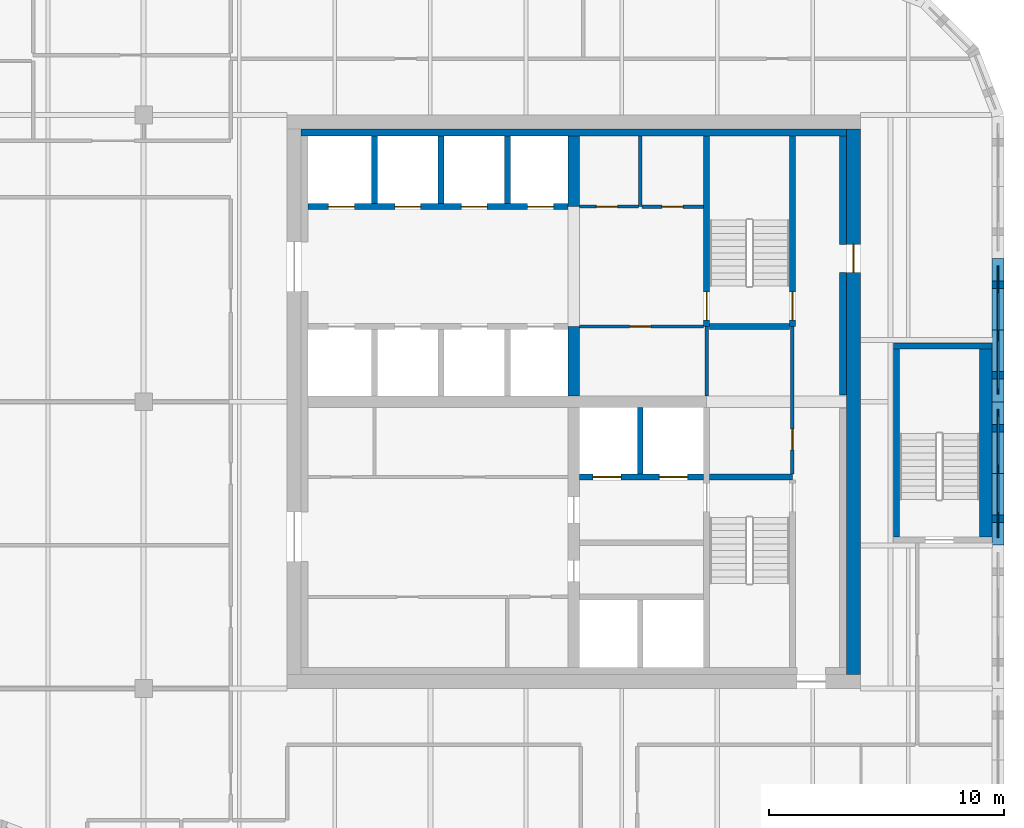
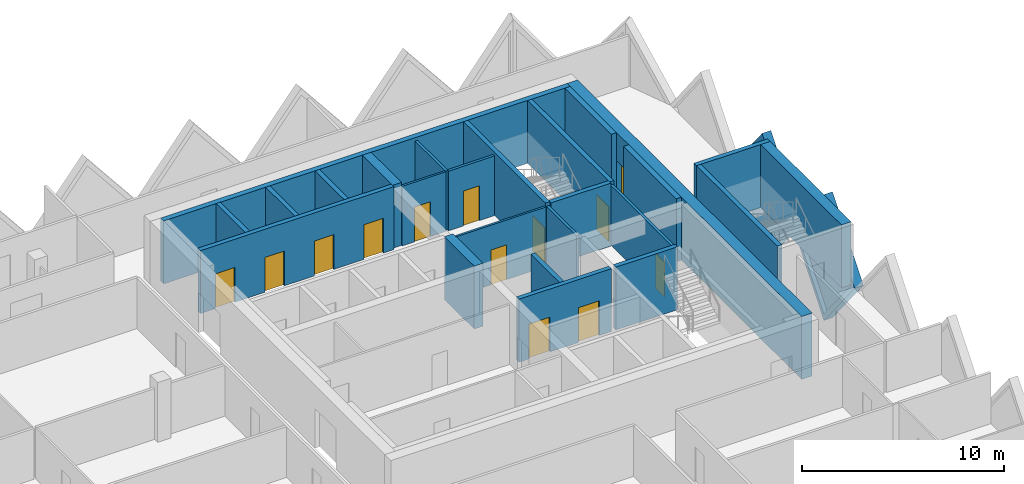
# One storey, part 9 of 12: 27 walls, 13 doors, 2 plates, 15 openings.
"""IFC4 building model written with IfcOpenShell, lengths in metres."""

from ifc_helpers import new_model, si_unit, direction, frame, frame_2d, origin, place, context, subcontext, project, spatial, polyline, rectangle, outline, extrude, faceted_brep, source, transform, mapped, material, layer, layer_set, type_object, element, fill, save


model = new_model("IFC4")

# Units and contexts
model_context = context("Model", 3, precision=1e-05, world=origin(), true_north=direction((0.0, 1.0)))
body_context = subcontext(model_context, "Body", "Model", "MODEL_VIEW")
ifc_project = project(units=[si_unit("LENGTHUNIT", "METRE"), si_unit("AREAUNIT", "SQUARE_METRE"), si_unit("VOLUMEUNIT", "CUBIC_METRE"), si_unit("PLANEANGLEUNIT", "RADIAN"), si_unit("MASSUNIT", "GRAM", prefix="KILO")], contexts=[model_context])

# Site, building, storey
site_placement = place(None, origin())
site = spatial("IfcSite", under=ifc_project, at=site_placement, CompositionType="ELEMENT")
building_placement = place(site_placement, origin())
building = spatial("IfcBuilding", under=site, at=building_placement, Name="Tessera Gate Towers", CompositionType="ELEMENT")
storey_placement = place(building_placement, frame((0.0, 0.0, 185.800048828125)))
storey = spatial("IfcBuildingStorey", under=building, at=storey_placement, Name="L46", CompositionType="ELEMENT", Elevation=185.800048828125)

# Wall, openings, doors
ifc_material_1 = material(Name="Concrete C40/50", Category="concrete")
ifc_layer_1 = layer(ifc_material_1, 0.25)
ifc_layer_set_1 = layer_set([ifc_layer_1], Name="CORE ENCLOSURE WALL 250")
wall_type_1 = type_object("IfcWallType", Name="CORE ENCLOSURE WALL 250", PredefinedType="SOLIDWALL", material=ifc_layer_set_1)
wall_1_placement = place(storey_placement, frame((42.449951171875, 44.89990234375, 0.0), z_axis=(0.0, 0.0, 1.0), x_axis=(-1.0, 0.0, 0.0)))
wall_1 = element("IfcWall", 1, at=wall_1_placement, inside=storey, type_object=wall_type_1, Name="L46 shaft and stair enclosure wall", PredefinedType="SOLIDWALL", context=body_context, shape_type="SweptSolid", body=[
    extrude(rectangle(XDim=11.050048828125, YDim=0.25, at=frame_2d((5.52490234375, 0.0))), origin(), (0.0, 0.0, 1.0), 3.800048828125),
])
shared_shape_1 = source(origin(), body_context, "Body", "SweptSolid", [
    extrude(rectangle(XDim=1.10009765625, YDim=2.10009765625, at=frame_2d((0.550048828125, 1.050048828125))), frame((0.0, 0.135009765625, 0.0), z_axis=(0.0, -1.0, 0.0), x_axis=(1.0, 0.0, 0.0)), (0.0, 0.0, 1.0), 0.27001953125),
])
opening_1_placement = place(wall_1_placement, frame((9.08740234375, 0.0, 0.0)))
opening_1 = element("IfcOpeningElement", 2, at=opening_1_placement, cuts=wall_1, Name="Opening LD-HR5", PredefinedType="OPENING", context=body_context, shape_type="MappedRepresentation", body=[
    mapped(shared_shape_1, transform((0.0, 0.0, 0.0), scale=1.0)),
])
opening_2_placement = place(wall_1_placement, frame((6.262451171875, 0.0, 0.0)))
opening_2 = element("IfcOpeningElement", 3, at=opening_2_placement, cuts=wall_1, Name="Opening LD-HR6", PredefinedType="OPENING", context=body_context, shape_type="MappedRepresentation", body=[
    mapped(shared_shape_1, transform((0.0, 0.0, 0.0), scale=1.0)),
])
opening_3_placement = place(wall_1_placement, frame((3.4375, 0.0, 0.0)))
opening_3 = element("IfcOpeningElement", 4, at=opening_3_placement, cuts=wall_1, Name="Opening LD-HR7", PredefinedType="OPENING", context=body_context, shape_type="MappedRepresentation", body=[
    mapped(shared_shape_1, transform((0.0, 0.0, 0.0), scale=1.0)),
])
opening_4_placement = place(wall_1_placement, frame((0.612548828125, 0.0, 0.0)))
opening_4 = element("IfcOpeningElement", 5, at=opening_4_placement, cuts=wall_1, Name="Opening LD-HR8", PredefinedType="OPENING", context=body_context, shape_type="MappedRepresentation", body=[
    mapped(shared_shape_1, transform((0.0, 0.0, 0.0), scale=1.0)),
])
ifc_material_2 = material(Name="Stainless steel", Category="steel")
door_type_1 = type_object("IfcDoorType", Name="CORE DOOR LD 1100x2100", OperationType="DOUBLE_DOOR_SLIDING", PredefinedType="DOOR", material=ifc_material_2)
shared_shape_2 = source(origin(), body_context, "Body", "SweptSolid", [
    extrude(rectangle(XDim=1.10009765625, YDim=2.10009765625, at=frame_2d((0.550048828125, 1.050048828125))), frame((0.0, 0.02490234375, 0.0), z_axis=(0.0, -1.0, 0.0), x_axis=(1.0, 0.0, 0.0)), (0.0, 0.0, 1.0), 0.050048828125),
])
door_1_placement = place(opening_1_placement, origin())
door_1 = element("IfcDoor", 6, at=door_1_placement, inside=storey, type_object=door_type_1, Name="Landing door HR5 L46", OperationType="DOUBLE_DOOR_SLIDING", OverallHeight=2.10009765625, OverallWidth=1.10009765625, PredefinedType="DOOR", context=body_context, shape_type="MappedRepresentation", body=[
    mapped(shared_shape_2, transform((0.0, 0.0, 0.0), scale=1.0)),
])
fill(opening_1, door_1)
door_2_placement = place(opening_2_placement, origin())
door_2 = element("IfcDoor", 7, at=door_2_placement, inside=storey, type_object=door_type_1, Name="Landing door HR6 L46", OperationType="DOUBLE_DOOR_SLIDING", OverallHeight=2.10009765625, OverallWidth=1.10009765625, PredefinedType="DOOR", context=body_context, shape_type="MappedRepresentation", body=[
    mapped(shared_shape_2, transform((0.0, 0.0, 0.0), scale=1.0)),
])
fill(opening_2, door_2)
door_3_placement = place(opening_3_placement, origin())
door_3 = element("IfcDoor", 8, at=door_3_placement, inside=storey, type_object=door_type_1, Name="Landing door HR7 L46", OperationType="DOUBLE_DOOR_SLIDING", OverallHeight=2.10009765625, OverallWidth=1.10009765625, PredefinedType="DOOR", context=body_context, shape_type="MappedRepresentation", body=[
    mapped(shared_shape_2, transform((0.0, 0.0, 0.0), scale=1.0)),
])
fill(opening_3, door_3)
door_4_placement = place(opening_4_placement, origin())
door_4 = element("IfcDoor", 9, at=door_4_placement, inside=storey, type_object=door_type_1, Name="Landing door HR8 L46", OperationType="DOUBLE_DOOR_SLIDING", OverallHeight=2.10009765625, OverallWidth=1.10009765625, PredefinedType="DOOR", context=body_context, shape_type="MappedRepresentation", body=[
    mapped(shared_shape_2, transform((0.0, 0.0, 0.0), scale=1.0)),
])
fill(opening_4, door_4)

wall_2_placement = place(storey_placement, frame((48.22509765625, 33.39990234375, 0.0), z_axis=(0.0, 0.0, 1.0), x_axis=(-1.0, 0.0, 0.0)))
wall_2 = element("IfcWall", 10, at=wall_2_placement, inside=storey, type_object=wall_type_1, Name="L46 shaft and stair enclosure wall", PredefinedType="SOLIDWALL", context=body_context, shape_type="SweptSolid", body=[
    extrude(rectangle(XDim=5.275146484375, YDim=0.25, at=frame_2d((2.6376953125, 0.0))), origin(), (0.0, 0.0, 1.0), 3.800048828125),
])
shared_shape_3 = source(origin(), body_context, "Body", "SweptSolid", [
    extrude(rectangle(XDim=1.199951171875, YDim=2.10009765625, at=frame_2d((0.60009765625, 1.050048828125))), frame((0.0, 0.135009765625, 0.0), z_axis=(0.0, -1.0, 0.0), x_axis=(1.0, 0.0, 0.0)), (0.0, 0.0, 1.0), 0.27001953125),
])
opening_5_placement = place(wall_2_placement, frame((3.512451171875, 0.0, 0.0)))
opening_5 = element("IfcOpeningElement", 11, at=opening_5_placement, cuts=wall_2, Name="Opening LD-FF1", PredefinedType="OPENING", context=body_context, shape_type="MappedRepresentation", body=[
    mapped(shared_shape_3, transform((0.0, 0.0, 0.0), scale=1.0)),
])
opening_6_placement = place(wall_2_placement, frame((0.6875, 0.0, 0.0)))
opening_6 = element("IfcOpeningElement", 12, at=opening_6_placement, cuts=wall_2, Name="Opening LD-FF2", PredefinedType="OPENING", context=body_context, shape_type="MappedRepresentation", body=[
    mapped(shared_shape_3, transform((0.0, 0.0, 0.0), scale=1.0)),
])
ifc_material_3 = material(Name="Stainless steel", Category="steel")
door_type_2 = type_object("IfcDoorType", Name="CORE DOOR LD1200 1200x2100", OperationType="DOUBLE_DOOR_SLIDING", PredefinedType="DOOR", material=ifc_material_3)
shared_shape_4 = source(origin(), body_context, "Body", "SweptSolid", [
    extrude(rectangle(XDim=1.199951171875, YDim=2.10009765625, at=frame_2d((0.60009765625, 1.050048828125))), frame((0.0, 0.02490234375, 0.0), z_axis=(0.0, -1.0, 0.0), x_axis=(1.0, 0.0, 0.0)), (0.0, 0.0, 1.0), 0.050048828125),
])
door_5_placement = place(opening_5_placement, origin())
door_5 = element("IfcDoor", 13, at=door_5_placement, inside=storey, type_object=door_type_2, Name="Landing door FF1 L46", OperationType="DOUBLE_DOOR_SLIDING", OverallHeight=2.10009765625, OverallWidth=1.199951171875, PredefinedType="DOOR", context=body_context, shape_type="MappedRepresentation", body=[
    mapped(shared_shape_4, transform((0.0, 0.0, 0.0), scale=1.0)),
])
fill(opening_5, door_5)
door_6_placement = place(opening_6_placement, origin())
door_6 = element("IfcDoor", 14, at=door_6_placement, inside=storey, type_object=door_type_2, Name="Landing door FF2 L46", OperationType="DOUBLE_DOOR_SLIDING", OverallHeight=2.10009765625, OverallWidth=1.199951171875, PredefinedType="DOOR", context=body_context, shape_type="MappedRepresentation", body=[
    mapped(shared_shape_4, transform((0.0, 0.0, 0.0), scale=1.0)),
])
fill(opening_6, door_6)

# Wall
wall_3_placement = place(storey_placement, frame((48.47509765625, 33.39990234375, 0.0), z_axis=(0.0, 0.0, 1.0), x_axis=(1.0, 0.0, 0.0)))
element("IfcWall", 15, at=wall_3_placement, inside=storey, type_object=wall_type_1, Name="L46 shaft and stair enclosure wall", PredefinedType="SOLIDWALL", context=body_context, shape_type="SweptSolid", body=[
    extrude(rectangle(XDim=3.52490234375, YDim=0.25, at=frame_2d((1.762451171875, 0.0))), origin(), (0.0, 0.0, 1.0), 3.800048828125),
])

# Wall, opening, door
wall_4_placement = place(storey_placement, frame((48.35009765625, 47.89990234375, 0.0), z_axis=(0.0, 0.0, 1.0), x_axis=(0.0, -1.0, 0.0)))
wall_4 = element("IfcWall", 16, at=wall_4_placement, inside=storey, type_object=wall_type_1, Name="L46 shaft and stair enclosure wall", PredefinedType="SOLIDWALL", context=body_context, shape_type="SweptSolid", body=[
    extrude(rectangle(XDim=8.099853515625, YDim=0.25, at=frame_2d((4.0498046875, 0.0))), origin(), (0.0, 0.0, 1.0), 3.800048828125),
])
opening_7_placement = place(wall_4_placement, frame((6.625, 0.0, 0.0)))
opening_7 = element("IfcOpeningElement", 17, at=opening_7_placement, cuts=wall_4, Name="Opening SD-ST2-1", PredefinedType="OPENING", context=body_context, shape_type="MappedRepresentation", body=[
    mapped(shared_shape_3, transform((0.0, 0.0, 0.0), scale=1.0)),
])
ifc_material_4 = material(Name="Hollow steel fire door", Category="steel")
door_type_3 = type_object("IfcDoorType", Name="CORE DOOR SD 1200x2100", OperationType="NOTDEFINED", PredefinedType="DOOR", material=ifc_material_4)
door_7_placement = place(opening_7_placement, origin())
door_7 = element("IfcDoor", 18, at=door_7_placement, inside=storey, type_object=door_type_3, Name="Stair door", OperationType="SINGLE_SWING_RIGHT", OverallHeight=2.10009765625, OverallWidth=1.199951171875, PredefinedType="DOOR", context=body_context, shape_type="MappedRepresentation", body=[
    mapped(shared_shape_4, transform((0.0, 0.0, 0.0), scale=1.0)),
])
fill(opening_7, door_7)

wall_5_placement = place(storey_placement, frame((52.0, 39.800048828125, 0.0), z_axis=(0.0, 0.0, 1.0), x_axis=(0.0, 1.0, 0.0)))
wall_5 = element("IfcWall", 19, at=wall_5_placement, inside=storey, type_object=wall_type_1, Name="L46 shaft and stair enclosure wall", PredefinedType="SOLIDWALL", context=body_context, shape_type="SweptSolid", body=[
    extrude(rectangle(XDim=8.099853515625, YDim=0.25, at=frame_2d((4.0498046875, 0.0))), origin(), (0.0, 0.0, 1.0), 3.800048828125),
])
opening_8_placement = place(wall_5_placement, frame((0.27490234375, 0.0, 0.0)))
opening_8 = element("IfcOpeningElement", 20, at=opening_8_placement, cuts=wall_5, Name="Opening SD-ST2-2", PredefinedType="OPENING", context=body_context, shape_type="MappedRepresentation", body=[
    mapped(shared_shape_3, transform((0.0, 0.0, 0.0), scale=1.0)),
])
door_8_placement = place(opening_8_placement, origin())
door_8 = element("IfcDoor", 21, at=door_8_placement, inside=storey, type_object=door_type_3, Name="Stair door", OperationType="SINGLE_SWING_LEFT", OverallHeight=2.10009765625, OverallWidth=1.199951171875, PredefinedType="DOOR", context=body_context, shape_type="MappedRepresentation", body=[
    mapped(shared_shape_4, transform((0.0, 0.0, 0.0), scale=1.0)),
])
fill(opening_8, door_8)

# Walls
wall_6_placement = place(storey_placement, frame((48.47509765625, 39.800048828125, 0.0), z_axis=(0.0, 0.0, 1.0), x_axis=(1.0, 0.0, 0.0)))
element("IfcWall", 22, at=wall_6_placement, inside=storey, type_object=wall_type_1, Name="L46 shaft and stair enclosure wall", PredefinedType="SOLIDWALL", context=body_context, shape_type="SweptSolid", body=[
    extrude(rectangle(XDim=3.39990234375, YDim=0.25, at=frame_2d((1.699951171875, 0.0))), origin(), (0.0, 0.0, 1.0), 3.800048828125),
])
wall_7_placement = place(storey_placement, frame((45.52490234375, 33.52490234375, 0.0), z_axis=(0.0, 0.0, 1.0), x_axis=(0.0, 1.0, 0.0)))
element("IfcWall", 23, at=wall_7_placement, inside=storey, type_object=wall_type_1, Name="L46 shaft and stair enclosure wall", PredefinedType="SOLIDWALL", context=body_context, shape_type="SweptSolid", body=[
    extrude(rectangle(XDim=2.8251953125, YDim=0.25, at=frame_2d((1.41259765625, 0.0))), origin(), (0.0, 0.0, 1.0), 3.800048828125),
])
for number, where, z_axis, x_axis, name in (
    (24, (34.22509765625, 45.02490234375, 0.0), (0.0, 0.0, 1.0), (0.0, 1.0, 0.0), "L46 shaft and stair enclosure wall"),
    (25, (37.050048828125, 45.02490234375, 0.0), (0.0, 0.0, 1.0), (0.0, 1.0, 0.0), "L46 shaft and stair enclosure wall"),
    (26, (39.875, 45.02490234375, 0.0), (0.0, 0.0, 1.0), (0.0, 1.0, 0.0), "L46 shaft and stair enclosure wall"),
):
    element("IfcWall", number, at=place(storey_placement, frame(where, z_axis=z_axis, x_axis=x_axis)), inside=storey, type_object=wall_type_1, Name=name, PredefinedType="SOLIDWALL", context=body_context, shape_type="SweptSolid", body=[
        extrude(rectangle(XDim=2.875, YDim=0.25, at=frame_2d((1.4375, 0.0))), origin(), (0.0, 0.0, 1.0), 3.800048828125),
    ])
wall_8_placement = place(storey_placement, frame((56.425048828125, 30.85009765625, 0.0), z_axis=(0.0, 0.0, 1.0), x_axis=(0.0, 1.0, 0.0)))
element("IfcWall", 27, at=wall_8_placement, inside=storey, type_object=wall_type_1, Name="L46 ST5 enclosure wall", PredefinedType="SOLIDWALL", context=body_context, shape_type="SweptSolid", body=[
    extrude(rectangle(XDim=8.0, YDim=0.25, at=frame_2d((4.0, 0.0))), origin(), (0.0, 0.0, 1.0), 3.800048828125),
])
wall_9_placement = place(storey_placement, frame((56.300048828125, 38.97509765625, 0.0), z_axis=(0.0, 0.0, 1.0), x_axis=(1.0, 0.0, 0.0)))
element("IfcWall", 28, at=wall_9_placement, inside=storey, type_object=wall_type_1, Name="L46 ST5 enclosure wall", PredefinedType="SOLIDWALL", context=body_context, shape_type="SweptSolid", body=[
    extrude(rectangle(XDim=4.199951171875, YDim=0.25, at=frame_2d((2.10009765625, 0.0))), origin(), (0.0, 0.0, 1.0), 3.800048828125),
])
ifc_material_5 = material(Name="Concrete C40/50", Category="concrete")
ifc_layer_2 = layer(ifc_material_5, 0.550048828125)
ifc_layer_set_2 = layer_set([ifc_layer_2], Name="CORE ENCLOSURE WALL 550")
wall_type_2 = type_object("IfcWallType", Name="CORE ENCLOSURE WALL 550", PredefinedType="SOLIDWALL", material=ifc_layer_set_2)
wall_10_placement = place(storey_placement, frame((60.22509765625, 38.85009765625, 0.0), z_axis=(0.0, 0.0, 1.0), x_axis=(0.0, -1.0, 0.0)))
element("IfcWall", 29, at=wall_10_placement, inside=storey, type_object=wall_type_2, Name="L46 ST5 enclosure wall", PredefinedType="SOLIDWALL", context=body_context, shape_type="SweptSolid", body=[
    extrude(rectangle(XDim=8.0, YDim=0.550048828125, at=frame_2d((4.0, 0.0))), origin(), (0.0, 0.0, 1.0), 3.800048828125),
])

# Wall, opening, door
ifc_material_6 = material(Name="Gypsum board on steel studs", Category="steel")
ifc_layer_3 = layer(ifc_material_6, 0.1201171875)
ifc_layer_set_3 = layer_set([ifc_layer_3], Name="CORE PARTITION 120")
wall_type_3 = type_object("IfcWallType", Name="CORE PARTITION 120", PredefinedType="PARTITIONING", material=ifc_layer_set_3)
wall_11_placement = place(storey_placement, frame((48.22509765625, 39.800048828125, 0.0), z_axis=(0.0, 0.0, 1.0), x_axis=(-1.0, 0.0, 0.0)))
wall_11 = element("IfcWall", 30, at=wall_11_placement, inside=storey, type_object=wall_type_3, Name="L46 core partition", PredefinedType="PARTITIONING", context=body_context, shape_type="SweptSolid", body=[
    extrude(rectangle(XDim=5.275146484375, YDim=0.1201171875, at=frame_2d((2.6376953125, 0.0))), origin(), (0.0, 0.0, 1.0), 3.599853515625),
])
shared_shape_5 = source(origin(), body_context, "Body", "SweptSolid", [
    extrude(rectangle(XDim=0.89990234375, YDim=2.10009765625, at=frame_2d((0.449951171875, 1.050048828125))), frame((0.0, 0.070068359375, 0.0), z_axis=(0.0, -1.0, 0.0), x_axis=(1.0, 0.0, 0.0)), (0.0, 0.0, 1.0), 0.14013671875),
])
opening_9_placement = place(wall_11_placement, frame((2.25, 0.0, 0.0)))
opening_9 = element("IfcOpeningElement", 31, at=opening_9_placement, cuts=wall_11, Name="Opening RD-T1-28-11", PredefinedType="OPENING", context=body_context, shape_type="MappedRepresentation", body=[
    mapped(shared_shape_5, transform((0.0, 0.0, 0.0), scale=1.0)),
])
ifc_material_7 = material(Name="Hollow steel fire door", Category="steel")
door_type_4 = type_object("IfcDoorType", Name="CORE DOOR RD 900x2100", OperationType="NOTDEFINED", PredefinedType="DOOR", material=ifc_material_7)
shared_shape_6 = source(origin(), body_context, "Body", "SweptSolid", [
    extrude(rectangle(XDim=0.89990234375, YDim=2.10009765625, at=frame_2d((0.449951171875, 1.050048828125))), frame((0.0, 0.02490234375, 0.0), z_axis=(0.0, -1.0, 0.0), x_axis=(1.0, 0.0, 0.0)), (0.0, 0.0, 1.0), 0.050048828125),
])
door_9_placement = place(opening_9_placement, origin())
door_9 = element("IfcDoor", 32, at=door_9_placement, inside=storey, type_object=door_type_4, Name="Core room door", OperationType="SINGLE_SWING_RIGHT", OverallHeight=2.10009765625, OverallWidth=0.89990234375, PredefinedType="DOOR", context=body_context, shape_type="MappedRepresentation", body=[
    mapped(shared_shape_6, transform((0.0, 0.0, 0.0), scale=1.0)),
])
fill(opening_9, door_9)

wall_12_placement = place(storey_placement, frame((42.949951171875, 44.89990234375, 0.0), z_axis=(0.0, 0.0, 1.0), x_axis=(1.0, 0.0, 0.0)))
wall_12 = element("IfcWall", 33, at=wall_12_placement, inside=storey, type_object=wall_type_3, Name="L46 core partition", PredefinedType="PARTITIONING", context=body_context, shape_type="SweptSolid", body=[
    extrude(rectangle(XDim=2.5, YDim=0.1201171875, at=frame_2d((1.25, 0.0))), origin(), (0.0, 0.0, 1.0), 3.599853515625),
])
opening_10_placement = place(wall_12_placement, frame((0.71240234375, 0.0, 0.0)))
opening_10 = element("IfcOpeningElement", 34, at=opening_10_placement, cuts=wall_12, Name="Opening RD-T1-28-12", PredefinedType="OPENING", context=body_context, shape_type="MappedRepresentation", body=[
    mapped(shared_shape_5, transform((0.0, 0.0, 0.0), scale=1.0)),
])
door_10_placement = place(opening_10_placement, origin())
door_10 = element("IfcDoor", 35, at=door_10_placement, inside=storey, type_object=door_type_4, Name="Core room door", OperationType="SINGLE_SWING_LEFT", OverallHeight=2.10009765625, OverallWidth=0.89990234375, PredefinedType="DOOR", context=body_context, shape_type="MappedRepresentation", body=[
    mapped(shared_shape_6, transform((0.0, 0.0, 0.0), scale=1.0)),
])
fill(opening_10, door_10)

ifc_material_8 = material(Name="Concrete C50/60", Category="concrete")
ifc_layer_4 = layer(ifc_material_8, 0.60009765625)
ifc_layer_set_4 = layer_set([ifc_layer_4], Name="CORE SHEAR WALL 600 C50/60")
wall_type_4 = type_object("IfcWallType", Name="CORE SHEAR WALL 600 C50/60", PredefinedType="SHEAR", material=ifc_layer_set_4)
wall_13_placement = place(storey_placement, frame((54.60009765625, 48.199951171875, 0.0), z_axis=(0.0, 0.0, 1.0), x_axis=(0.0, -1.0, 0.0)))
wall_13 = element("IfcWall", 36, at=wall_13_placement, inside=storey, type_object=wall_type_4, Name="Core wall E L46", PredefinedType="SHEAR", context=body_context, shape_type="SweptSolid", body=[
    extrude(rectangle(XDim=23.199951171875, YDim=0.60009765625, at=frame_2d((11.60009765625, 0.0))), origin(), (0.0, 0.0, 1.0), 3.800048828125),
])
shared_shape_7 = source(origin(), body_context, "Body", "SweptSolid", [
    extrude(rectangle(XDim=1.199951171875, YDim=2.10009765625, at=frame_2d((0.60009765625, 1.050048828125))), frame((0.0, 0.31005859375, 0.0), z_axis=(0.0, -1.0, 0.0), x_axis=(1.0, 0.0, 0.0)), (0.0, 0.0, 1.0), 0.6201171875),
])
opening_11_placement = place(wall_13_placement, frame((4.89990234375, 0.0, 0.0)))
opening_11 = element("IfcOpeningElement", 37, at=opening_11_placement, cuts=wall_13, Name="Opening ED-T1-28-04", PredefinedType="OPENING", context=body_context, shape_type="MappedRepresentation", body=[
    mapped(shared_shape_7, transform((0.0, 0.0, 0.0), scale=1.0)),
])
ifc_material_9 = material(Name="Hollow steel fire door", Category="steel")
door_type_5 = type_object("IfcDoorType", Name="CORE DOOR ED 1200x2100", OperationType="NOTDEFINED", PredefinedType="DOOR", material=ifc_material_9)
door_11_placement = place(opening_11_placement, origin())
door_11 = element("IfcDoor", 38, at=door_11_placement, inside=storey, type_object=door_type_5, Name="Core exit door", OperationType="SINGLE_SWING_LEFT", OverallHeight=2.10009765625, OverallWidth=1.199951171875, PredefinedType="DOOR", context=body_context, shape_type="MappedRepresentation", body=[
    mapped(shared_shape_4, transform((0.0, 0.0, 0.0), scale=1.0)),
])
fill(opening_11, door_11)

# Walls
ifc_material_10 = material(Name="Concrete C50/60", Category="concrete")
ifc_layer_5 = layer(ifc_material_10, 0.5)
ifc_layer_set_5 = layer_set([ifc_layer_5], Name="CORE SPINE WALL 500 C50/60")
wall_type_5 = type_object("IfcWallType", Name="CORE SPINE WALL 500 C50/60", PredefinedType="SHEAR", material=ifc_layer_set_5)
wall_14_placement = place(storey_placement, frame((42.699951171875, 36.85009765625, 0.0), z_axis=(0.0, 0.0, 1.0), x_axis=(0.0, 1.0, 0.0)))
element("IfcWall", 39, at=wall_14_placement, inside=storey, type_object=wall_type_5, Name="Core wall spine L46", PredefinedType="SHEAR", context=body_context, shape_type="SweptSolid", body=[
    extrude(rectangle(XDim=2.949951171875, YDim=0.5, at=frame_2d((1.47509765625, 0.0))), origin(), (0.0, 0.0, 1.0), 3.800048828125),
])
wall_15_placement = place(storey_placement, frame((42.699951171875, 44.89990234375, 0.0), z_axis=(0.0, 0.0, 1.0), x_axis=(0.0, 1.0, 0.0)))
element("IfcWall", 40, at=wall_15_placement, inside=storey, type_object=wall_type_5, Name="Core wall spine L46", PredefinedType="SHEAR", context=body_context, shape_type="SweptSolid", body=[
    extrude(rectangle(XDim=3.0, YDim=0.5, at=frame_2d((1.5, 0.0))), origin(), (0.0, 0.0, 1.0), 3.800048828125),
])
ifc_material_11 = material(Name="Concrete C50/60", Category="concrete")
ifc_layer_6 = layer(ifc_material_11, 0.300048828125)
ifc_layer_set_6 = layer_set([ifc_layer_6], Name="CORE WALL THICKENING 300")
wall_type_6 = type_object("IfcWallType", Name="CORE WALL THICKENING 300", PredefinedType="SOLIDWALL", material=ifc_layer_set_6)
wall_16_placement = place(storey_placement, frame((31.10009765625, 48.050048828125, 0.0), z_axis=(0.0, 0.0, 1.0), x_axis=(1.0, 0.0, 0.0)))
element("IfcWall", 41, at=wall_16_placement, inside=storey, type_object=wall_type_6, Name="Core wall thickening N L46", PredefinedType="SOLIDWALL", context=body_context, shape_type="SweptSolid", body=[
    extrude(rectangle(XDim=23.199951171875, YDim=0.300048828125, at=frame_2d((11.60009765625, 0.0))), origin(), (0.0, 0.0, 1.0), 3.800048828125),
])
wall_17_placement = place(storey_placement, frame((54.14990234375, 36.8798828125, 0.0), z_axis=(0.0, 0.0, 1.0), x_axis=(0.0, 1.0, 0.0)))
element("IfcWall", 42, at=wall_17_placement, inside=storey, type_object=wall_type_6, Name="Core wall thickening E L46", PredefinedType="SOLIDWALL", context=body_context, shape_type="SweptSolid", body=[
    extrude(rectangle(XDim=5.22021484375, YDim=0.300048828125, at=frame_2d((2.610107421875, 0.0))), origin(), (0.0, 0.0, 1.0), 3.800048828125),
])
wall_18_placement = place(storey_placement, frame((54.14990234375, 43.300048828125, 0.0), z_axis=(0.0, 0.0, 1.0), x_axis=(0.0, 1.0, 0.0)))
element("IfcWall", 43, at=wall_18_placement, inside=storey, type_object=wall_type_6, Name="Core wall thickening E L46", PredefinedType="SOLIDWALL", context=body_context, shape_type="SweptSolid", body=[
    extrude(rectangle(XDim=4.599853515625, YDim=0.300048828125, at=frame_2d((2.2998046875, 0.0))), origin(), (0.0, 0.0, 1.0), 3.800048828125),
])

# Wall, opening, door
ifc_material_12 = material(Name="Gypsum board on steel studs", Category="steel")
ifc_layer_7 = layer(ifc_material_12, 0.14990234375)
ifc_layer_set_7 = layer_set([ifc_layer_7], Name="SERVICE ROOM WALL 150")
wall_type_7 = type_object("IfcWallType", Name="SERVICE ROOM WALL 150", PredefinedType="PARTITIONING", material=ifc_layer_set_7)
wall_19_placement = place(storey_placement, frame((52.0, 33.52490234375, 0.0), z_axis=(0.0, 0.0, 1.0), x_axis=(0.0, 1.0, 0.0)))
wall_19 = element("IfcWall", 44, at=wall_19_placement, inside=storey, type_object=wall_type_7, Name="L46 service room wall", PredefinedType="PARTITIONING", context=body_context, shape_type="SweptSolid", body=[
    extrude(rectangle(XDim=6.275146484375, YDim=0.14990234375, at=frame_2d((3.1376953125, 0.0))), origin(), (0.0, 0.0, 1.0), 3.599853515625),
])
shared_shape_8 = source(origin(), body_context, "Body", "SweptSolid", [
    extrude(rectangle(XDim=0.89990234375, YDim=2.10009765625, at=frame_2d((0.449951171875, 1.050048828125))), frame((0.0, 0.0849609375, 0.0), z_axis=(0.0, -1.0, 0.0), x_axis=(1.0, 0.0, 0.0)), (0.0, 0.0, 1.0), 0.169921875),
])
opening_12_placement = place(wall_19_placement, frame((1.02490234375, 0.0, 0.0)))
opening_12 = element("IfcOpeningElement", 45, at=opening_12_placement, cuts=wall_19, Name="Opening RD-T1-28-10", PredefinedType="OPENING", context=body_context, shape_type="MappedRepresentation", body=[
    mapped(shared_shape_8, transform((0.0, 0.0, 0.0), scale=1.0)),
])
door_12_placement = place(opening_12_placement, origin())
door_12 = element("IfcDoor", 46, at=door_12_placement, inside=storey, type_object=door_type_4, Name="Core room door", OperationType="SINGLE_SWING_LEFT", OverallHeight=2.10009765625, OverallWidth=0.89990234375, PredefinedType="DOOR", context=body_context, shape_type="MappedRepresentation", body=[
    mapped(shared_shape_6, transform((0.0, 0.0, 0.0), scale=1.0)),
])
fill(opening_12, door_12)

# Walls
wall_20_placement = place(storey_placement, frame((48.35009765625, 36.85009765625, 0.0), z_axis=(0.0, 0.0, 1.0), x_axis=(0.0, 1.0, 0.0)))
element("IfcWall", 47, at=wall_20_placement, inside=storey, type_object=wall_type_7, Name="L46 service room wall", PredefinedType="PARTITIONING", context=body_context, shape_type="SweptSolid", body=[
    extrude(rectangle(XDim=2.949951171875, YDim=0.14990234375, at=frame_2d((1.47509765625, 0.0))), origin(), (0.0, 0.0, 1.0), 3.599853515625),
])
wall_21_placement = place(storey_placement, frame((45.52490234375, 44.89990234375, 0.0), z_axis=(0.0, 0.0, 1.0), x_axis=(0.0, 1.0, 0.0)))
element("IfcWall", 48, at=wall_21_placement, inside=storey, type_object=wall_type_7, Name="L46 service room wall", PredefinedType="PARTITIONING", context=body_context, shape_type="SweptSolid", body=[
    extrude(rectangle(XDim=3.0, YDim=0.14990234375, at=frame_2d((1.5, 0.0))), origin(), (0.0, 0.0, 1.0), 3.599853515625),
])

# Wall, opening, door
wall_22_placement = place(storey_placement, frame((45.60009765625, 44.89990234375, 0.0), z_axis=(0.0, 0.0, 1.0), x_axis=(1.0, 0.0, 0.0)))
wall_22 = element("IfcWall", 49, at=wall_22_placement, inside=storey, type_object=wall_type_7, Name="L46 service room wall", PredefinedType="PARTITIONING", context=body_context, shape_type="SweptSolid", body=[
    extrude(rectangle(XDim=2.625, YDim=0.14990234375, at=frame_2d((1.3125, 0.0))), origin(), (0.0, 0.0, 1.0), 3.599853515625),
])
opening_13_placement = place(wall_22_placement, frame((0.85009765625, 0.0, 0.0)))
opening_13 = element("IfcOpeningElement", 50, at=opening_13_placement, cuts=wall_22, Name="Opening RD-T1-28-13", PredefinedType="OPENING", context=body_context, shape_type="MappedRepresentation", body=[
    mapped(shared_shape_8, transform((0.0, 0.0, 0.0), scale=1.0)),
])
door_13_placement = place(opening_13_placement, origin())
door_13 = element("IfcDoor", 51, at=door_13_placement, inside=storey, type_object=door_type_4, Name="Core room door", OperationType="SINGLE_SWING_LEFT", OverallHeight=2.10009765625, OverallWidth=0.89990234375, PredefinedType="DOOR", context=body_context, shape_type="MappedRepresentation", body=[
    mapped(shared_shape_6, transform((0.0, 0.0, 0.0), scale=1.0)),
])
fill(opening_13, door_13)

# Wall, opening, plate
ifc_material_13 = material(Name="Precast concrete C60/75 white", Category="concrete")
ifc_layer_8 = layer(ifc_material_13, 0.5)
ifc_layer_set_8 = layer_set([ifc_layer_8], Name="TS1 tessera")
wall_type_8 = type_object("IfcWallType", Name="TS1 tessera", PredefinedType="SOLIDWALL", material=ifc_layer_set_8)
shared_shape_9 = source(origin(), body_context, "Body", "Brep", [
    faceted_brep([(3.050048828125, -0.25, 0.0), (6.099853515625, -0.25, 3.7998046875), (6.099853515625, -0.25, 3.80029296875), (3.050048828125, -0.25, 7.60009765625), (0.0, -0.25, 3.800048828125), (0.0, 0.25, 3.800048828125), (3.050048828125, 0.25, 7.60009765625), (6.099853515625, 0.25, 3.80029296875), (6.099853515625, 0.25, 3.7998046875), (3.050048828125, 0.25, 0.0)], [[[0, 1, 2, 3, 4]], [[5, 6, 7, 8, 9]], [[9, 8, 1, 0]], [[7, 6, 3, 2]], [[6, 5, 4, 3]], [[5, 9, 0, 4]], [[1, 8, 7, 2]]]),
])
wall_23_placement = place(storey_placement, frame((60.75, 36.60009765625, -3.800048828125), z_axis=(0.0, 0.0, 1.0), x_axis=(0.0, 1.0, 0.0)))
wall_23 = element("IfcWall", 52, at=wall_23_placement, inside=storey, type_object=wall_type_8, Name="Precast tessera T1 TS1-0813", PredefinedType="SOLIDWALL", context=body_context, shape_type="MappedRepresentation", body=[
    mapped(shared_shape_9, transform((0.0, 0.0, 0.0), scale=1.0)),
])
shared_shape_10 = source(origin(), body_context, "Body", "SweptSolid", [
    extrude(outline(polyline([(3.050048828125, 0.3994140625), (5.779541015625, 3.800048828125), (3.050048828125, 7.20068359375), (0.320556640625, 3.800048828125), (3.050048828125, 0.3994140625)])), frame((0.0, 0.260009765625, 0.0), z_axis=(0.0, -1.0, 0.0), x_axis=(1.0, 0.0, 0.0)), (0.0, 0.0, 1.0), 0.52001953125),
])
opening_14_placement = place(wall_23_placement, origin())
opening_14 = element("IfcOpeningElement", 53, at=opening_14_placement, cuts=wall_23, Name="Opening T1-PL2-1659", PredefinedType="OPENING", context=body_context, shape_type="MappedRepresentation", body=[
    mapped(shared_shape_10, transform((0.0, 0.0, 0.0), scale=1.0)),
])
ifc_material_14 = material(Name="Low-e laminated glass", Category="glass")
ifc_layer_9 = layer(ifc_material_14, 0.06005859375)
ifc_layer_set_9 = layer_set([ifc_layer_9], Name="PL2 rhombic pane")
plate_type = type_object("IfcPlateType", Name="PL2 rhombic pane", PredefinedType="SHEET", material=ifc_layer_set_9)
shared_shape_11 = source(origin(), body_context, "Body", "SweptSolid", [
    extrude(outline(polyline([(3.050048828125, 0.3994140625), (5.779541015625, 3.800048828125), (3.050048828125, 7.20068359375), (0.320556640625, 3.800048828125), (3.050048828125, 0.3994140625)])), frame((0.0, 0.030029296875, 0.0), z_axis=(0.0, -1.0, 0.0), x_axis=(1.0, 0.0, 0.0)), (0.0, 0.0, 1.0), 0.06005859375),
])
plate_1_placement = place(opening_14_placement, origin())
plate_1 = element("IfcPlate", 54, at=plate_1_placement, inside=storey, type_object=plate_type, Name="Glass pane T1 PL2-1659", PredefinedType="SHEET", context=body_context, shape_type="MappedRepresentation", body=[
    mapped(shared_shape_11, transform((0.0, 0.0, 0.0), scale=1.0)),
])
fill(opening_14, plate_1)

shared_shape_12 = source(origin(), body_context, "Body", "SweptSolid", [
    extrude(outline(polyline([(3.050048828125, 0.0), (6.10009765625, 3.800048828125), (3.050048828125, 7.60009765625), (0.0, 3.800048828125), (3.050048828125, 0.0)])), frame((0.0, 0.25, 0.0), z_axis=(0.0, -1.0, 0.0), x_axis=(1.0, 0.0, 0.0)), (0.0, 0.0, 1.0), 0.5),
])
wall_24_placement = place(storey_placement, frame((60.75, 30.5, -3.800048828125), z_axis=(0.0, 0.0, 1.0), x_axis=(0.0, 1.0, 0.0)))
wall_24 = element("IfcWall", 55, at=wall_24_placement, inside=storey, type_object=wall_type_8, Name="Precast tessera T1 TS1-0812", PredefinedType="SOLIDWALL", context=body_context, shape_type="MappedRepresentation", body=[
    mapped(shared_shape_12, transform((0.0, 0.0, 0.0), scale=1.0)),
])
opening_15_placement = place(wall_24_placement, origin())
opening_15 = element("IfcOpeningElement", 56, at=opening_15_placement, cuts=wall_24, Name="Opening T1-PL2-1658", PredefinedType="OPENING", context=body_context, shape_type="MappedRepresentation", body=[
    mapped(shared_shape_10, transform((0.0, 0.0, 0.0), scale=1.0)),
])
plate_2_placement = place(opening_15_placement, origin())
plate_2 = element("IfcPlate", 57, at=plate_2_placement, inside=storey, type_object=plate_type, Name="Glass pane T1 PL2-1658", PredefinedType="SHEET", context=body_context, shape_type="MappedRepresentation", body=[
    mapped(shared_shape_11, transform((0.0, 0.0, 0.0), scale=1.0)),
])
fill(opening_15, plate_2)

save(model, "model.ifc")
